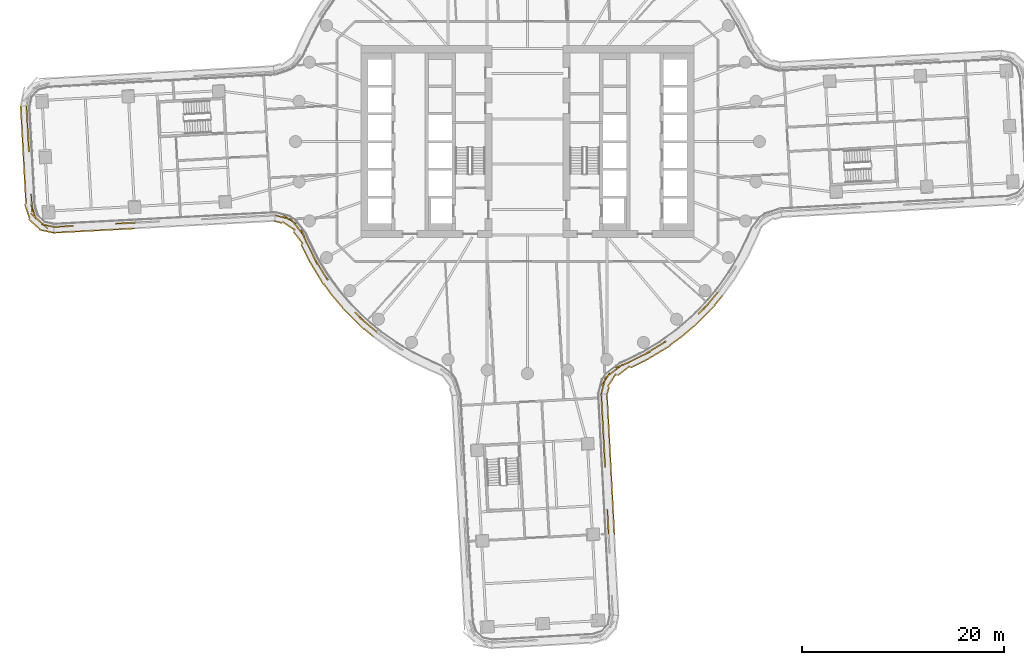
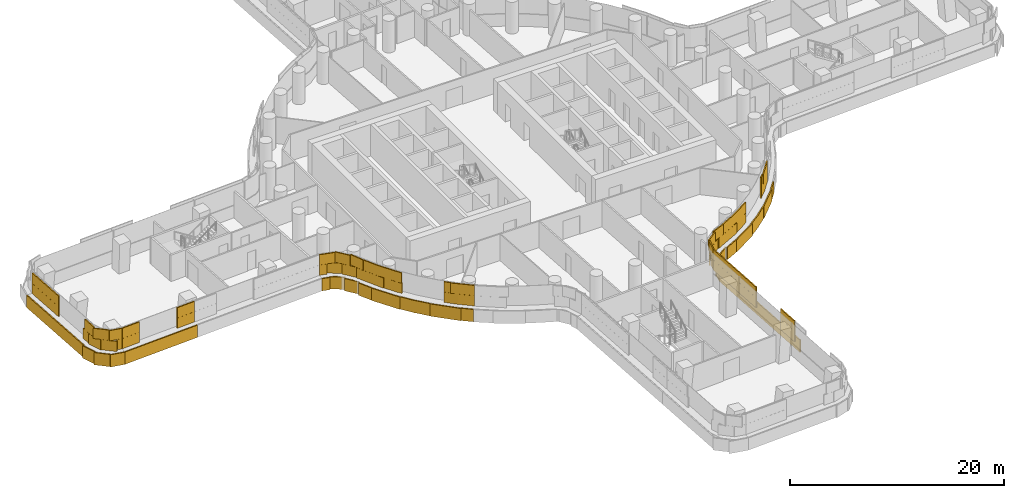
# One storey, part 26 of 31: 5 coverings.
"""IFC4 building model written with IfcOpenShell, lengths in metres."""

from ifc_helpers import new_model, si_unit, direction, frame, origin, origin_2d, place, context, subcontext, project, spatial, rectangle, extrude, material, layer, layer_set, type_object, element, save


model = new_model("IFC4")

# Units and contexts
model_context = context("Model", 3, precision=1e-05, world=origin(), true_north=direction((0.0, 1.0)))
body_context = subcontext(model_context, "Body", "Model", "MODEL_VIEW")
ifc_project = project(units=[si_unit("LENGTHUNIT", "METRE"), si_unit("AREAUNIT", "SQUARE_METRE"), si_unit("VOLUMEUNIT", "CUBIC_METRE"), si_unit("PLANEANGLEUNIT", "RADIAN"), si_unit("MASSUNIT", "GRAM", prefix="KILO")], contexts=[model_context])

# Site, building, storey
site_placement = place(None, origin())
site = spatial("IfcSite", under=ifc_project, at=site_placement, CompositionType="ELEMENT")
building_placement = place(site_placement, origin())
building = spatial("IfcBuilding", under=site, at=building_placement, Name="Tamarind Cross Interchange Tower", CompositionType="ELEMENT")
storey_placement = place(building_placement, frame((0.0, 0.0, 45.25)))
storey = spatial("IfcBuildingStorey", under=building, at=storey_placement, Name="L09", CompositionType="ELEMENT", Elevation=45.25)

# Coverings
ifc_material = material(Name="Terracotta", Category="masonry")
ifc_layer = layer(ifc_material, 0.1201171875)
ifc_layer_set = layer_set([ifc_layer], Name="Terracotta")
covering_type = type_object("IfcCoveringType", Name="Terracotta baguette screen unit", PredefinedType="MOLDING", material=ifc_layer_set)
covering_1_placement = place(storey_placement, origin())
element("IfcCovering", 1, at=covering_1_placement, inside=storey, type_object=covering_type, Name="SCR-L09-00-00", PredefinedType="MOLDING", context=body_context, shape_type="SweptSolid", body=[
    extrude(rectangle(XDim=0.760009765625, YDim=0.1201171875, at=origin_2d()), frame((-49.657958984375, 3.129150390625, 1.404052734375), z_axis=(0.0, 0.0, 1.0), x_axis=(0.054678317891, -0.998504021801, 0.0)), (0.0, 0.0, 1.0), 1.1669921875),
    extrude(rectangle(XDim=1.52001953125, YDim=0.1201171875, at=origin_2d()), frame((-49.596435546875, 2.005859375, 1.404052734375), z_axis=(0.0, 0.0, 1.0), x_axis=(0.054678317891, -0.998504021801, 0.0)), (0.0, 0.0, 1.0), 1.1669921875),
    extrude(rectangle(XDim=1.52001953125, YDim=0.1201171875, at=origin_2d()), frame((-49.514404296875, 0.508056640625, 1.404052734375), z_axis=(0.0, 0.0, 1.0), x_axis=(0.054678317891, -0.998504021801, 0.0)), (0.0, 0.0, 1.0), 1.1669921875),
    extrude(rectangle(XDim=0.784912109375, YDim=0.1201171875, at=origin_2d()), frame((-49.4521484375, -0.62744140625, 1.404052734375), z_axis=(0.0, 0.0, 1.0), x_axis=(0.054678317891, -0.998504021801, 0.0)), (0.0, 0.0, 1.0), 1.1669921875),
    extrude(rectangle(XDim=1.03515625, YDim=0.1201171875, at=origin_2d()), frame((-49.17333984375, -5.719970703125, 1.404052734375), z_axis=(0.0, 0.0, 1.0), x_axis=(0.054678317891, -0.998504021801, 0.0)), (0.0, 0.0, 1.0), 1.1669921875),
    extrude(rectangle(XDim=1.52001953125, YDim=0.1201171875, at=origin_2d()), frame((-48.982177734375, -6.957763671875, 1.404052734375), z_axis=(0.0, 0.0, 1.0), x_axis=(0.311247056843, -0.950329032287, 0.0)), (0.0, 0.0, 1.0), 1.1669921875),
    extrude(rectangle(XDim=1.52001953125, YDim=0.1201171875, at=origin_2d()), frame((-48.122802734375, -8.127197265625, 1.404052734375), z_axis=(0.0, 0.0, 1.0), x_axis=(0.744712374222, -0.667385555493, 0.0)), (0.0, 0.0, 1.0), 1.1669921875),
    extrude(rectangle(XDim=0.509521484375, YDim=0.1201171875, at=origin_2d()), frame((-47.186279296875, -8.4150390625, 1.404052734375), z_axis=(0.0, 0.0, 1.0), x_axis=(0.978632612335, -0.205616658064, 0.0)), (0.0, 0.0, 1.0), 1.1669921875),
    extrude(rectangle(XDim=1.510009765625, YDim=0.1201171875, at=origin_2d()), frame((-49.637451171875, 2.7548828125, 2.5791015625), z_axis=(0.0, 0.0, 1.0), x_axis=(0.054678317891, -0.998504021801, 0.0)), (0.0, 0.0, 1.0), 1.1669921875),
    extrude(rectangle(XDim=1.52001953125, YDim=0.1201171875, at=origin_2d()), frame((-49.555419921875, 1.257080078125, 2.5791015625), z_axis=(0.0, 0.0, 1.0), x_axis=(0.054678317891, -0.998504021801, 0.0)), (0.0, 0.0, 1.0), 1.1669921875),
    extrude(rectangle(XDim=1.52001953125, YDim=0.1201171875, at=origin_2d()), frame((-49.473388671875, -0.24072265625, 2.5791015625), z_axis=(0.0, 0.0, 1.0), x_axis=(0.054678317891, -0.998504021801, 0.0)), (0.0, 0.0, 1.0), 1.1669921875),
    extrude(rectangle(XDim=1.52001953125, YDim=0.1201171875, at=origin_2d()), frame((-49.145263671875, -6.231689453125, 2.5791015625), z_axis=(0.0, 0.0, 1.0), x_axis=(0.054678317891, -0.998504021801, 0.0)), (0.0, 0.0, 1.0), 1.1669921875),
    extrude(rectangle(XDim=1.52001953125, YDim=0.1201171875, at=origin_2d()), frame((-48.681396484375, -7.62646484375, 2.5791015625), z_axis=(0.0, 0.0, 1.0), x_axis=(0.744712374222, -0.667385555493, 0.0)), (0.0, 0.0, 1.0), 1.1669921875),
    extrude(rectangle(XDim=1.259521484375, YDim=0.1201171875, at=origin_2d()), frame((-47.55322265625, -8.337890625, 2.5791015625), z_axis=(0.0, 0.0, 1.0), x_axis=(0.978632612335, -0.205616658064, 0.0)), (0.0, 0.0, 1.0), 1.1669921875),
    extrude(rectangle(XDim=0.760009765625, YDim=0.1201171875, at=origin_2d()), frame((-50.23486328125, 3.168212890625, 0.00390625), z_axis=(0.0, 0.0, 1.0), x_axis=(0.054678317891, -0.998504021801, 0.0)), (0.0, 0.0, 1.0), 1.39208984375),
    extrude(rectangle(XDim=1.52001953125, YDim=0.1201171875, at=origin_2d()), frame((-50.173583984375, 2.050048828125, 0.00390625), z_axis=(0.0, 0.0, 1.0), x_axis=(0.054678317891, -0.998504021801, 0.0)), (0.0, 0.0, 1.0), 1.39208984375),
    extrude(rectangle(XDim=1.52001953125, YDim=0.1201171875, at=origin_2d()), frame((-50.091552734375, 0.55224609375, 0.00390625), z_axis=(0.0, 0.0, 1.0), x_axis=(0.054678317891, -0.998504021801, 0.0)), (0.0, 0.0, 1.0), 1.39208984375),
    extrude(rectangle(XDim=1.52001953125, YDim=0.1201171875, at=origin_2d()), frame((-50.009765625, -0.945556640625, 0.00390625), z_axis=(0.0, 0.0, 1.0), x_axis=(0.054678317891, -0.998504021801, 0.0)), (0.0, 0.0, 1.0), 1.39208984375),
    extrude(rectangle(XDim=1.52001953125, YDim=0.1201171875, at=origin_2d()), frame((-49.927734375, -2.443359375, 0.00390625), z_axis=(0.0, 0.0, 1.0), x_axis=(0.054678317891, -0.998504021801, 0.0)), (0.0, 0.0, 1.0), 1.39208984375),
    extrude(rectangle(XDim=1.52001953125, YDim=0.1201171875, at=origin_2d()), frame((-49.845703125, -3.94091796875, 0.00390625), z_axis=(0.0, 0.0, 1.0), x_axis=(0.054678317891, -0.998504021801, 0.0)), (0.0, 0.0, 1.0), 1.39208984375),
    extrude(rectangle(XDim=1.52001953125, YDim=0.1201171875, at=origin_2d()), frame((-49.763671875, -5.438720703125, 0.00390625), z_axis=(0.0, 0.0, 1.0), x_axis=(0.054678317891, -0.998504021801, 0.0)), (0.0, 0.0, 1.0), 1.39208984375),
    extrude(rectangle(XDim=1.52001953125, YDim=0.1201171875, at=origin_2d()), frame((-49.59814453125, -6.9208984375, 0.00390625), z_axis=(0.0, 0.0, 1.0), x_axis=(0.311247056843, -0.950329032287, 0.0)), (0.0, 0.0, 1.0), 1.39208984375),
    extrude(rectangle(XDim=1.52001953125, YDim=0.1201171875, at=origin_2d()), frame((-48.90380859375, -8.197998046875, 0.00390625), z_axis=(0.0, 0.0, 1.0), x_axis=(0.744712374222, -0.667385555493, 0.0)), (0.0, 0.0, 1.0), 1.39208984375),
    extrude(rectangle(XDim=1.426513671875, YDim=0.1201171875, at=origin_2d()), frame((-47.684326171875, -8.89697265625, 0.00390625), z_axis=(0.0, 0.0, 1.0), x_axis=(0.978632612335, -0.205616658064, 0.0)), (0.0, 0.0, 1.0), 1.39208984375),
])
covering_2_placement = place(storey_placement, origin())
element("IfcCovering", 2, at=covering_2_placement, inside=storey, type_object=covering_type, Name="SCR-L09-01-00", PredefinedType="MOLDING", context=body_context, shape_type="SweptSolid", body=[
    extrude(rectangle(XDim=0.760009765625, YDim=0.1201171875, at=origin_2d()), frame((-46.5673828125, -8.44677734375, 1.404052734375), z_axis=(0.0, 0.0, 1.0), x_axis=(0.998622085659, 0.052477900426, 0.0)), (0.0, 0.0, 1.0), 1.1669921875),
    extrude(rectangle(XDim=1.187255859375, YDim=0.1201171875, at=origin_2d()), frame((-45.60498046875, -8.396240234375, 1.404052734375), z_axis=(0.0, 0.0, 1.0), x_axis=(0.998622085659, 0.052477900426, 0.0)), (0.0, 0.0, 1.0), 1.1669921875),
    extrude(rectangle(XDim=0.6328125, YDim=0.1201171875, at=origin_2d()), frame((-40.511962890625, -8.12841796875, 1.404052734375), z_axis=(0.0, 0.0, 1.0), x_axis=(0.998622085659, 0.052477900426, 0.0)), (0.0, 0.0, 1.0), 1.1669921875),
    extrude(rectangle(XDim=1.314453125, YDim=0.1201171875, at=origin_2d()), frame((-39.5498046875, -8.077880859375, 1.404052734375), z_axis=(0.0, 0.0, 1.0), x_axis=(0.998622085659, 0.052477900426, 0.0)), (0.0, 0.0, 1.0), 1.1669921875),
    extrude(rectangle(XDim=1.510009765625, YDim=0.1201171875, at=origin_2d()), frame((-46.19287109375, -8.427001953125, 2.5791015625), z_axis=(0.0, 0.0, 1.0), x_axis=(0.998622085659, 0.052477900426, 0.0)), (0.0, 0.0, 1.0), 1.1669921875),
    extrude(rectangle(XDim=0.437255859375, YDim=0.1201171875, at=origin_2d()), frame((-45.23046875, -8.37646484375, 2.5791015625), z_axis=(0.0, 0.0, 1.0), x_axis=(0.998622085659, 0.052477900426, 0.0)), (0.0, 0.0, 1.0), 1.1669921875),
    extrude(rectangle(XDim=1.3828125, YDim=0.1201171875, at=origin_2d()), frame((-40.137451171875, -8.10888671875, 2.5791015625), z_axis=(0.0, 0.0, 1.0), x_axis=(0.998622085659, 0.052477900426, 0.0)), (0.0, 0.0, 1.0), 1.1669921875),
    extrude(rectangle(XDim=0.564453125, YDim=0.1201171875, at=origin_2d()), frame((-39.17529296875, -8.058349609375, 2.5791015625), z_axis=(0.0, 0.0, 1.0), x_axis=(0.998622085659, 0.052477900426, 0.0)), (0.0, 0.0, 1.0), 1.1669921875),
    extrude(rectangle(XDim=0.760009765625, YDim=0.1201171875, at=origin_2d()), frame((-46.60693359375, -9.023681640625, 0.00390625), z_axis=(0.0, 0.0, 1.0), x_axis=(0.998622085659, 0.052477900426, 0.0)), (0.0, 0.0, 1.0), 1.39208984375),
    extrude(rectangle(XDim=1.52001953125, YDim=0.1201171875, at=origin_2d()), frame((-45.488525390625, -8.96484375, 0.00390625), z_axis=(0.0, 0.0, 1.0), x_axis=(0.998622085659, 0.052477900426, 0.0)), (0.0, 0.0, 1.0), 1.39208984375),
    extrude(rectangle(XDim=1.52001953125, YDim=0.1201171875, at=origin_2d()), frame((-43.99072265625, -8.88623046875, 0.00390625), z_axis=(0.0, 0.0, 1.0), x_axis=(0.998622085659, 0.052477900426, 0.0)), (0.0, 0.0, 1.0), 1.39208984375),
    extrude(rectangle(XDim=1.52001953125, YDim=0.1201171875, at=origin_2d()), frame((-42.49267578125, -8.807373046875, 0.00390625), z_axis=(0.0, 0.0, 1.0), x_axis=(0.998622085659, 0.052477900426, 0.0)), (0.0, 0.0, 1.0), 1.39208984375),
    extrude(rectangle(XDim=1.52001953125, YDim=0.1201171875, at=origin_2d()), frame((-40.99462890625, -8.728759765625, 0.00390625), z_axis=(0.0, 0.0, 1.0), x_axis=(0.998622085659, 0.052477900426, 0.0)), (0.0, 0.0, 1.0), 1.39208984375),
    extrude(rectangle(XDim=1.30908203125, YDim=0.1201171875, at=origin_2d()), frame((-39.60205078125, -8.655517578125, 0.00390625), z_axis=(0.0, 0.0, 1.0), x_axis=(0.998622085659, 0.052477900426, 0.0)), (0.0, 0.0, 1.0), 1.39208984375),
])
covering_3_placement = place(storey_placement, origin())
element("IfcCovering", 3, at=covering_3_placement, inside=storey, type_object=covering_type, Name="SCR-L09-02-00", PredefinedType="MOLDING", context=body_context, shape_type="SweptSolid", body=[
    extrude(rectangle(XDim=0.760009765625, YDim=0.1201171875, at=origin_2d()), frame((-24.64794921875, -7.409912109375, 1.404052734375), z_axis=(0.0, 0.0, 1.0), x_axis=(0.966733034489, -0.255787489975, 0.0)), (0.0, 0.0, 1.0), 1.1669921875),
    extrude(rectangle(XDim=1.52001953125, YDim=0.1201171875, at=origin_2d()), frame((-23.57958984375, -7.740966796875, 1.404052734375), z_axis=(0.0, 0.0, 1.0), x_axis=(0.840803783361, -0.541340002112, 0.0)), (0.0, 0.0, 1.0), 1.1669921875),
    extrude(rectangle(XDim=1.52001953125, YDim=0.1201171875, at=origin_2d()), frame((-22.567138671875, -8.82373046875, 1.404052734375), z_axis=(0.0, 0.0, 1.0), x_axis=(0.610465817578, -0.79204260338, 0.0)), (0.0, 0.0, 1.0), 1.1669921875),
    extrude(rectangle(XDim=1.52001953125, YDim=0.1201171875, at=origin_2d()), frame((-21.840576171875, -10.123779296875, 1.404052734375), z_axis=(0.0, 0.0, 1.0), x_axis=(0.443058811505, -0.896492548518, 0.0)), (0.0, 0.0, 1.0), 1.1669921875),
    extrude(rectangle(XDim=1.52001953125, YDim=0.1201171875, at=origin_2d()), frame((-21.176025390625, -11.46875, 1.404052734375), z_axis=(0.0, 0.0, 1.0), x_axis=(0.443058811505, -0.896492548518, 0.0)), (0.0, 0.0, 1.0), 1.1669921875),
    extrude(rectangle(XDim=1.52001953125, YDim=0.1201171875, at=origin_2d()), frame((-20.40966796875, -12.7578125, 1.404052734375), z_axis=(0.0, 0.0, 1.0), x_axis=(0.515577308909, -0.856843065292, 0.0)), (0.0, 0.0, 1.0), 1.1669921875),
    extrude(rectangle(XDim=0.4140625, YDim=0.1201171875, at=origin_2d()), frame((-19.8935546875, -13.556884765625, 1.404052734375), z_axis=(0.0, 0.0, 1.0), x_axis=(0.584573890505, -0.811340475102, 0.0)), (0.0, 0.0, 1.0), 1.1669921875),
    extrude(rectangle(XDim=1.40576171875, YDim=0.1201171875, at=origin_2d()), frame((-16.596435546875, -17.433837890625, 1.404052734375), z_axis=(0.0, 0.0, 1.0), x_axis=(0.710143317658, -0.704057148523, 0.0)), (0.0, 0.0, 1.0), 1.1669921875),
    extrude(rectangle(XDim=1.5068359375, YDim=0.1201171875, at=origin_2d()), frame((-15.51708984375, -18.394775390625, 1.404052734375), z_axis=(0.0, 0.0, 1.0), x_axis=(0.765858396687, -0.643009266048, 0.0)), (0.0, 0.0, 1.0), 1.1669921875),
    extrude(rectangle(XDim=1.510009765625, YDim=0.1201171875, at=origin_2d()), frame((-24.285400390625, -7.505859375, 2.5791015625), z_axis=(0.0, 0.0, 1.0), x_axis=(0.966733034489, -0.255787489975, 0.0)), (0.0, 0.0, 1.0), 1.1669921875),
    extrude(rectangle(XDim=1.52001953125, YDim=0.1201171875, at=origin_2d()), frame((-23.025146484375, -8.229736328125, 2.5791015625), z_axis=(0.0, 0.0, 1.0), x_axis=(0.610465817578, -0.79204260338, 0.0)), (0.0, 0.0, 1.0), 1.1669921875),
    extrude(rectangle(XDim=1.52001953125, YDim=0.1201171875, at=origin_2d()), frame((-22.14990234375, -9.441162109375, 2.5791015625), z_axis=(0.0, 0.0, 1.0), x_axis=(0.378208842163, -0.925720298854, 0.0)), (0.0, 0.0, 1.0), 1.1669921875),
    extrude(rectangle(XDim=1.52001953125, YDim=0.1201171875, at=origin_2d()), frame((-21.50830078125, -10.796142578125, 2.5791015625), z_axis=(0.0, 0.0, 1.0), x_axis=(0.443058811505, -0.896492548518, 0.0)), (0.0, 0.0, 1.0), 1.1669921875),
    extrude(rectangle(XDim=1.52001953125, YDim=0.1201171875, at=origin_2d()), frame((-20.79638671875, -12.114990234375, 2.5791015625), z_axis=(0.0, 0.0, 1.0), x_axis=(0.515577308909, -0.856843065292, 0.0)), (0.0, 0.0, 1.0), 1.1669921875),
    extrude(rectangle(XDim=1.1640625, YDim=0.1201171875, at=origin_2d()), frame((-20.112060546875, -13.252197265625, 2.5791015625), z_axis=(0.0, 0.0, 1.0), x_axis=(0.515577308909, -0.856843065292, 0.0)), (0.0, 0.0, 1.0), 1.1669921875),
    extrude(rectangle(XDim=0.65576171875, YDim=0.1201171875, at=origin_2d()), frame((-16.86279296875, -17.169921875, 2.5791015625), z_axis=(0.0, 0.0, 1.0), x_axis=(0.710143317658, -0.704057148523, 0.0)), (0.0, 0.0, 1.0), 1.1669921875),
    extrude(rectangle(XDim=1.52001953125, YDim=0.1201171875, at=origin_2d()), frame((-16.09033203125, -17.91357421875, 2.5791015625), z_axis=(0.0, 0.0, 1.0), x_axis=(0.765858396687, -0.643009266048, 0.0)), (0.0, 0.0, 1.0), 1.1669921875),
    extrude(rectangle(XDim=0.7568359375, YDim=0.1201171875, at=origin_2d()), frame((-15.22998046875, -18.635986328125, 2.5791015625), z_axis=(0.0, 0.0, 1.0), x_axis=(0.765858396687, -0.643009266048, 0.0)), (0.0, 0.0, 1.0), 1.1669921875),
    extrude(rectangle(XDim=0.760009765625, YDim=0.1201171875, at=origin_2d()), frame((-24.702880859375, -7.989013671875, 0.00390625), z_axis=(0.0, 0.0, 1.0), x_axis=(0.966733034489, -0.255787489975, 0.0)), (0.0, 0.0, 1.0), 1.39208984375),
    extrude(rectangle(XDim=1.52001953125, YDim=0.1201171875, at=origin_2d()), frame((-23.662109375, -8.370361328125, 0.00390625), z_axis=(0.0, 0.0, 1.0), x_axis=(0.840803783361, -0.541340002112, 0.0)), (0.0, 0.0, 1.0), 1.39208984375),
    extrude(rectangle(XDim=1.52001953125, YDim=0.1201171875, at=origin_2d()), frame((-22.735107421875, -9.546142578125, 0.00390625), z_axis=(0.0, 0.0, 1.0), x_axis=(0.610465817578, -0.79204260338, 0.0)), (0.0, 0.0, 1.0), 1.39208984375),
    extrude(rectangle(XDim=1.52001953125, YDim=0.1201171875, at=origin_2d()), frame((-22.096435546875, -10.90185546875, 0.00390625), z_axis=(0.0, 0.0, 1.0), x_axis=(0.443058811505, -0.896492548518, 0.0)), (0.0, 0.0, 1.0), 1.39208984375),
    extrude(rectangle(XDim=1.52001953125, YDim=0.1201171875, at=origin_2d()), frame((-21.398193359375, -12.228271484375, 0.00390625), z_axis=(0.0, 0.0, 1.0), x_axis=(0.515577308909, -0.856843065292, 0.0)), (0.0, 0.0, 1.0), 1.39208984375),
    extrude(rectangle(XDim=1.52001953125, YDim=0.1201171875, at=origin_2d()), frame((-20.624755859375, -13.513427734375, 0.00390625), z_axis=(0.0, 0.0, 1.0), x_axis=(0.515577308909, -0.856843065292, 0.0)), (0.0, 0.0, 1.0), 1.39208984375),
    extrude(rectangle(XDim=1.52001953125, YDim=0.1201171875, at=origin_2d()), frame((-19.753173828125, -14.73388671875, 0.00390625), z_axis=(0.0, 0.0, 1.0), x_axis=(0.584573890505, -0.811340475102, 0.0)), (0.0, 0.0, 1.0), 1.39208984375),
    extrude(rectangle(XDim=1.52001953125, YDim=0.1201171875, at=origin_2d()), frame((-18.818603515625, -15.905517578125, 0.00390625), z_axis=(0.0, 0.0, 1.0), x_axis=(0.64957723968, -0.760295606781, 0.0)), (0.0, 0.0, 1.0), 1.39208984375),
    extrude(rectangle(XDim=1.52001953125, YDim=0.1201171875, at=origin_2d()), frame((-17.822998046875, -17.0263671875, 0.00390625), z_axis=(0.0, 0.0, 1.0), x_axis=(0.710143317658, -0.704057148523, 0.0)), (0.0, 0.0, 1.0), 1.39208984375),
    extrude(rectangle(XDim=1.52001953125, YDim=0.1201171875, at=origin_2d()), frame((-16.7578125, -18.082275390625, 0.00390625), z_axis=(0.0, 0.0, 1.0), x_axis=(0.710143317658, -0.704057148523, 0.0)), (0.0, 0.0, 1.0), 1.39208984375),
    extrude(rectangle(XDim=1.1767578125, YDim=0.1201171875, at=origin_2d()), frame((-15.7509765625, -18.947998046875, 0.00390625), z_axis=(0.0, 0.0, 1.0), x_axis=(0.765858396687, -0.643009266048, 0.0)), (0.0, 0.0, 1.0), 1.39208984375),
])
covering_4_placement = place(storey_placement, origin())
element("IfcCovering", 4, at=covering_4_placement, inside=storey, type_object=covering_type, Name="SCR-L09-05-01", PredefinedType="MOLDING", context=body_context, shape_type="SweptSolid", body=[
    extrude(rectangle(XDim=0.20556640625, YDim=0.1201171875, at=origin_2d()), frame((8.03857421875, -38.80078125, 1.404052734375), z_axis=(0.0, 0.0, 1.0), x_axis=(-0.052477900426, 0.998622085659, 0.0)), (0.0, 0.0, 1.0), 1.1669921875),
    extrude(rectangle(XDim=1.52001953125, YDim=0.1201171875, at=origin_2d()), frame((7.994140625, -37.9541015625, 1.404052734375), z_axis=(0.0, 0.0, 1.0), x_axis=(-0.052477900426, 0.998622085659, 0.0)), (0.0, 0.0, 1.0), 1.1669921875),
    extrude(rectangle(XDim=0.714111328125, YDim=0.1201171875, at=origin_2d()), frame((7.936279296875, -36.853759765625, 1.404052734375), z_axis=(0.0, 0.0, 1.0), x_axis=(-0.052477900426, 0.998622085659, 0.0)), (0.0, 0.0, 1.0), 1.1669921875),
    extrude(rectangle(XDim=1.10595703125, YDim=0.1201171875, at=origin_2d()), frame((7.668701171875, -31.7607421875, 1.404052734375), z_axis=(0.0, 0.0, 1.0), x_axis=(-0.052477900426, 0.998622085659, 0.0)), (0.0, 0.0, 1.0), 1.1669921875),
    extrude(rectangle(XDim=1.52001953125, YDim=0.1201171875, at=origin_2d()), frame((7.6005859375, -30.464599609375, 1.404052734375), z_axis=(0.0, 0.0, 1.0), x_axis=(-0.052477900426, 0.998622085659, 0.0)), (0.0, 0.0, 1.0), 1.1669921875),
    extrude(rectangle(XDim=1.52001953125, YDim=0.1201171875, at=origin_2d()), frame((7.521728515625, -28.966552734375, 1.404052734375), z_axis=(0.0, 0.0, 1.0), x_axis=(-0.052477900426, 0.998622085659, 0.0)), (0.0, 0.0, 1.0), 1.1669921875),
    extrude(rectangle(XDim=1.52001953125, YDim=0.1201171875, at=origin_2d()), frame((7.443115234375, -27.46875, 1.404052734375), z_axis=(0.0, 0.0, 1.0), x_axis=(-0.052477900426, 0.998622085659, 0.0)), (0.0, 0.0, 1.0), 1.1669921875),
    extrude(rectangle(XDim=1.52001953125, YDim=0.1201171875, at=origin_2d()), frame((7.3642578125, -25.970703125, 1.404052734375), z_axis=(0.0, 0.0, 1.0), x_axis=(-0.052477900426, 0.998622085659, 0.0)), (0.0, 0.0, 1.0), 1.1669921875),
    extrude(rectangle(XDim=0.221435546875, YDim=0.1201171875, at=origin_2d()), frame((7.319580078125, -25.1162109375, 1.404052734375), z_axis=(0.0, 0.0, 1.0), x_axis=(-0.052477900426, 0.998622085659, 0.0)), (0.0, 0.0, 1.0), 1.1669921875),
    extrude(rectangle(XDim=0.95556640625, YDim=0.1201171875, at=origin_2d()), frame((8.018798828125, -38.42626953125, 2.5791015625), z_axis=(0.0, 0.0, 1.0), x_axis=(-0.052477900426, 0.998622085659, 0.0)), (0.0, 0.0, 1.0), 1.1669921875),
    extrude(rectangle(XDim=1.464111328125, YDim=0.1201171875, at=origin_2d()), frame((7.9560546875, -37.228271484375, 2.5791015625), z_axis=(0.0, 0.0, 1.0), x_axis=(-0.052477900426, 0.998622085659, 0.0)), (0.0, 0.0, 1.0), 1.1669921875),
    extrude(rectangle(XDim=0.35595703125, YDim=0.1201171875, at=origin_2d()), frame((7.688232421875, -32.13525390625, 2.5791015625), z_axis=(0.0, 0.0, 1.0), x_axis=(-0.052477900426, 0.998622085659, 0.0)), (0.0, 0.0, 1.0), 1.1669921875),
    extrude(rectangle(XDim=1.52001953125, YDim=0.1201171875, at=origin_2d()), frame((7.639892578125, -31.21337890625, 2.5791015625), z_axis=(0.0, 0.0, 1.0), x_axis=(-0.052477900426, 0.998622085659, 0.0)), (0.0, 0.0, 1.0), 1.1669921875),
    extrude(rectangle(XDim=1.52001953125, YDim=0.1201171875, at=origin_2d()), frame((7.561279296875, -29.715576171875, 2.5791015625), z_axis=(0.0, 0.0, 1.0), x_axis=(-0.052477900426, 0.998622085659, 0.0)), (0.0, 0.0, 1.0), 1.1669921875),
    extrude(rectangle(XDim=1.52001953125, YDim=0.1201171875, at=origin_2d()), frame((7.482421875, -28.217529296875, 2.5791015625), z_axis=(0.0, 0.0, 1.0), x_axis=(-0.052477900426, 0.998622085659, 0.0)), (0.0, 0.0, 1.0), 1.1669921875),
    extrude(rectangle(XDim=1.52001953125, YDim=0.1201171875, at=origin_2d()), frame((7.40380859375, -26.7197265625, 2.5791015625), z_axis=(0.0, 0.0, 1.0), x_axis=(-0.052477900426, 0.998622085659, 0.0)), (0.0, 0.0, 1.0), 1.1669921875),
    extrude(rectangle(XDim=0.971435546875, YDim=0.1201171875, at=origin_2d()), frame((7.339111328125, -25.49072265625, 2.5791015625), z_axis=(0.0, 0.0, 1.0), x_axis=(-0.052477900426, 0.998622085659, 0.0)), (0.0, 0.0, 1.0), 1.1669921875),
    extrude(rectangle(XDim=0.2109375, YDim=0.1201171875, at=origin_2d()), frame((8.61572265625, -38.84326171875, 0.00390625), z_axis=(0.0, 0.0, 1.0), x_axis=(-0.052477900426, 0.998622085659, 0.0)), (0.0, 0.0, 1.0), 1.39208984375),
    extrude(rectangle(XDim=1.52001953125, YDim=0.1201171875, at=origin_2d()), frame((8.5712890625, -37.998779296875, 0.00390625), z_axis=(0.0, 0.0, 1.0), x_axis=(-0.052477900426, 0.998622085659, 0.0)), (0.0, 0.0, 1.0), 1.39208984375),
    extrude(rectangle(XDim=1.52001953125, YDim=0.1201171875, at=origin_2d()), frame((8.492431640625, -36.5009765625, 0.00390625), z_axis=(0.0, 0.0, 1.0), x_axis=(-0.052477900426, 0.998622085659, 0.0)), (0.0, 0.0, 1.0), 1.39208984375),
    extrude(rectangle(XDim=1.52001953125, YDim=0.1201171875, at=origin_2d()), frame((8.413818359375, -35.0029296875, 0.00390625), z_axis=(0.0, 0.0, 1.0), x_axis=(-0.052477900426, 0.998622085659, 0.0)), (0.0, 0.0, 1.0), 1.39208984375),
    extrude(rectangle(XDim=1.52001953125, YDim=0.1201171875, at=origin_2d()), frame((8.335205078125, -33.505126953125, 0.00390625), z_axis=(0.0, 0.0, 1.0), x_axis=(-0.052477900426, 0.998622085659, 0.0)), (0.0, 0.0, 1.0), 1.39208984375),
    extrude(rectangle(XDim=1.52001953125, YDim=0.1201171875, at=origin_2d()), frame((8.25634765625, -32.007080078125, 0.00390625), z_axis=(0.0, 0.0, 1.0), x_axis=(-0.052477900426, 0.998622085659, 0.0)), (0.0, 0.0, 1.0), 1.39208984375),
    extrude(rectangle(XDim=1.52001953125, YDim=0.1201171875, at=origin_2d()), frame((8.177734375, -30.50927734375, 0.00390625), z_axis=(0.0, 0.0, 1.0), x_axis=(-0.052477900426, 0.998622085659, 0.0)), (0.0, 0.0, 1.0), 1.39208984375),
    extrude(rectangle(XDim=1.52001953125, YDim=0.1201171875, at=origin_2d()), frame((8.098876953125, -29.01123046875, 0.00390625), z_axis=(0.0, 0.0, 1.0), x_axis=(-0.052477900426, 0.998622085659, 0.0)), (0.0, 0.0, 1.0), 1.39208984375),
    extrude(rectangle(XDim=1.52001953125, YDim=0.1201171875, at=origin_2d()), frame((8.020263671875, -27.513427734375, 0.00390625), z_axis=(0.0, 0.0, 1.0), x_axis=(-0.052477900426, 0.998622085659, 0.0)), (0.0, 0.0, 1.0), 1.39208984375),
    extrude(rectangle(XDim=1.52001953125, YDim=0.1201171875, at=origin_2d()), frame((7.94140625, -26.015380859375, 0.00390625), z_axis=(0.0, 0.0, 1.0), x_axis=(-0.052477900426, 0.998622085659, 0.0)), (0.0, 0.0, 1.0), 1.39208984375),
    extrude(rectangle(XDim=0.206298828125, YDim=0.1201171875, at=origin_2d()), frame((7.897216796875, -25.17333984375, 0.00390625), z_axis=(0.0, 0.0, 1.0), x_axis=(-0.052477900426, 0.998622085659, 0.0)), (0.0, 0.0, 1.0), 1.39208984375),
])
covering_5_placement = place(storey_placement, origin())
element("IfcCovering", 5, at=covering_5_placement, inside=storey, type_object=covering_type, Name="SCR-L09-06-00", PredefinedType="MOLDING", context=body_context, shape_type="SweptSolid", body=[
    extrude(rectangle(XDim=0.760009765625, YDim=0.1201171875, at=origin_2d()), frame((7.409912109375, -24.64794921875, 1.404052734375), z_axis=(0.0, 0.0, 1.0), x_axis=(0.255787489975, 0.966733034489, 0.0)), (0.0, 0.0, 1.0), 1.1669921875),
    extrude(rectangle(XDim=1.52001953125, YDim=0.1201171875, at=origin_2d()), frame((7.740966796875, -23.57958984375, 1.404052734375), z_axis=(0.0, 0.0, 1.0), x_axis=(0.541340002112, 0.840803783361, 0.0)), (0.0, 0.0, 1.0), 1.1669921875),
    extrude(rectangle(XDim=1.52001953125, YDim=0.1201171875, at=origin_2d()), frame((8.82373046875, -22.567138671875, 1.404052734375), z_axis=(0.0, 0.0, 1.0), x_axis=(0.79204260338, 0.610465817578, 0.0)), (0.0, 0.0, 1.0), 1.1669921875),
    extrude(rectangle(XDim=1.52001953125, YDim=0.1201171875, at=origin_2d()), frame((10.123779296875, -21.840576171875, 1.404052734375), z_axis=(0.0, 0.0, 1.0), x_axis=(0.896492548518, 0.443058811505, 0.0)), (0.0, 0.0, 1.0), 1.1669921875),
    extrude(rectangle(XDim=1.52001953125, YDim=0.1201171875, at=origin_2d()), frame((11.46875, -21.176025390625, 1.404052734375), z_axis=(0.0, 0.0, 1.0), x_axis=(0.896492548518, 0.443058811505, 0.0)), (0.0, 0.0, 1.0), 1.1669921875),
    extrude(rectangle(XDim=1.52001953125, YDim=0.1201171875, at=origin_2d()), frame((12.7578125, -20.40966796875, 1.404052734375), z_axis=(0.0, 0.0, 1.0), x_axis=(0.856843065292, 0.515577308909, 0.0)), (0.0, 0.0, 1.0), 1.1669921875),
    extrude(rectangle(XDim=0.4140625, YDim=0.1201171875, at=origin_2d()), frame((13.556884765625, -19.8935546875, 1.404052734375), z_axis=(0.0, 0.0, 1.0), x_axis=(0.811340475102, 0.584573890505, 0.0)), (0.0, 0.0, 1.0), 1.1669921875),
    extrude(rectangle(XDim=1.40576171875, YDim=0.1201171875, at=origin_2d()), frame((17.433837890625, -16.596435546875, 1.404052734375), z_axis=(0.0, 0.0, 1.0), x_axis=(0.704057148523, 0.710143317658, 0.0)), (0.0, 0.0, 1.0), 1.1669921875),
    extrude(rectangle(XDim=1.5068359375, YDim=0.1201171875, at=origin_2d()), frame((18.394775390625, -15.51708984375, 1.404052734375), z_axis=(0.0, 0.0, 1.0), x_axis=(0.643009266048, 0.765858396687, 0.0)), (0.0, 0.0, 1.0), 1.1669921875),
    extrude(rectangle(XDim=1.510009765625, YDim=0.1201171875, at=origin_2d()), frame((7.505859375, -24.285400390625, 2.5791015625), z_axis=(0.0, 0.0, 1.0), x_axis=(0.255787489975, 0.966733034489, 0.0)), (0.0, 0.0, 1.0), 1.1669921875),
    extrude(rectangle(XDim=1.52001953125, YDim=0.1201171875, at=origin_2d()), frame((8.229736328125, -23.025146484375, 2.5791015625), z_axis=(0.0, 0.0, 1.0), x_axis=(0.79204260338, 0.610465817578, 0.0)), (0.0, 0.0, 1.0), 1.1669921875),
    extrude(rectangle(XDim=1.52001953125, YDim=0.1201171875, at=origin_2d()), frame((9.441162109375, -22.14990234375, 2.5791015625), z_axis=(0.0, 0.0, 1.0), x_axis=(0.925720298854, 0.378208842163, 0.0)), (0.0, 0.0, 1.0), 1.1669921875),
    extrude(rectangle(XDim=1.52001953125, YDim=0.1201171875, at=origin_2d()), frame((10.796142578125, -21.50830078125, 2.5791015625), z_axis=(0.0, 0.0, 1.0), x_axis=(0.896492548518, 0.443058811505, 0.0)), (0.0, 0.0, 1.0), 1.1669921875),
    extrude(rectangle(XDim=1.52001953125, YDim=0.1201171875, at=origin_2d()), frame((12.114990234375, -20.79638671875, 2.5791015625), z_axis=(0.0, 0.0, 1.0), x_axis=(0.856843065292, 0.515577308909, 0.0)), (0.0, 0.0, 1.0), 1.1669921875),
    extrude(rectangle(XDim=1.1640625, YDim=0.1201171875, at=origin_2d()), frame((13.252197265625, -20.112060546875, 2.5791015625), z_axis=(0.0, 0.0, 1.0), x_axis=(0.856843065292, 0.515577308909, 0.0)), (0.0, 0.0, 1.0), 1.1669921875),
    extrude(rectangle(XDim=0.65576171875, YDim=0.1201171875, at=origin_2d()), frame((17.169921875, -16.86279296875, 2.5791015625), z_axis=(0.0, 0.0, 1.0), x_axis=(0.704057148523, 0.710143317658, 0.0)), (0.0, 0.0, 1.0), 1.1669921875),
    extrude(rectangle(XDim=1.52001953125, YDim=0.1201171875, at=origin_2d()), frame((17.91357421875, -16.09033203125, 2.5791015625), z_axis=(0.0, 0.0, 1.0), x_axis=(0.643009266048, 0.765858396687, 0.0)), (0.0, 0.0, 1.0), 1.1669921875),
    extrude(rectangle(XDim=0.7568359375, YDim=0.1201171875, at=origin_2d()), frame((18.635986328125, -15.22998046875, 2.5791015625), z_axis=(0.0, 0.0, 1.0), x_axis=(0.643009266048, 0.765858396687, 0.0)), (0.0, 0.0, 1.0), 1.1669921875),
    extrude(rectangle(XDim=0.760009765625, YDim=0.1201171875, at=origin_2d()), frame((7.989013671875, -24.702880859375, 0.00390625), z_axis=(0.0, 0.0, 1.0), x_axis=(0.255787489975, 0.966733034489, 0.0)), (0.0, 0.0, 1.0), 1.39208984375),
    extrude(rectangle(XDim=1.52001953125, YDim=0.1201171875, at=origin_2d()), frame((8.370361328125, -23.662109375, 0.00390625), z_axis=(0.0, 0.0, 1.0), x_axis=(0.541340002112, 0.840803783361, 0.0)), (0.0, 0.0, 1.0), 1.39208984375),
    extrude(rectangle(XDim=1.52001953125, YDim=0.1201171875, at=origin_2d()), frame((9.546142578125, -22.735107421875, 0.00390625), z_axis=(0.0, 0.0, 1.0), x_axis=(0.79204260338, 0.610465817578, 0.0)), (0.0, 0.0, 1.0), 1.39208984375),
    extrude(rectangle(XDim=1.52001953125, YDim=0.1201171875, at=origin_2d()), frame((10.90185546875, -22.096435546875, 0.00390625), z_axis=(0.0, 0.0, 1.0), x_axis=(0.896492548518, 0.443058811505, 0.0)), (0.0, 0.0, 1.0), 1.39208984375),
    extrude(rectangle(XDim=1.52001953125, YDim=0.1201171875, at=origin_2d()), frame((12.228271484375, -21.398193359375, 0.00390625), z_axis=(0.0, 0.0, 1.0), x_axis=(0.856843065292, 0.515577308909, 0.0)), (0.0, 0.0, 1.0), 1.39208984375),
    extrude(rectangle(XDim=1.52001953125, YDim=0.1201171875, at=origin_2d()), frame((13.513427734375, -20.624755859375, 0.00390625), z_axis=(0.0, 0.0, 1.0), x_axis=(0.856843065292, 0.515577308909, 0.0)), (0.0, 0.0, 1.0), 1.39208984375),
    extrude(rectangle(XDim=1.52001953125, YDim=0.1201171875, at=origin_2d()), frame((14.73388671875, -19.753173828125, 0.00390625), z_axis=(0.0, 0.0, 1.0), x_axis=(0.811340475102, 0.584573890505, 0.0)), (0.0, 0.0, 1.0), 1.39208984375),
    extrude(rectangle(XDim=1.52001953125, YDim=0.1201171875, at=origin_2d()), frame((15.905517578125, -18.818603515625, 0.00390625), z_axis=(0.0, 0.0, 1.0), x_axis=(0.760295606781, 0.64957723968, 0.0)), (0.0, 0.0, 1.0), 1.39208984375),
    extrude(rectangle(XDim=1.52001953125, YDim=0.1201171875, at=origin_2d()), frame((17.0263671875, -17.822998046875, 0.00390625), z_axis=(0.0, 0.0, 1.0), x_axis=(0.704057148523, 0.710143317658, 0.0)), (0.0, 0.0, 1.0), 1.39208984375),
    extrude(rectangle(XDim=1.52001953125, YDim=0.1201171875, at=origin_2d()), frame((18.082275390625, -16.7578125, 0.00390625), z_axis=(0.0, 0.0, 1.0), x_axis=(0.704057148523, 0.710143317658, 0.0)), (0.0, 0.0, 1.0), 1.39208984375),
    extrude(rectangle(XDim=1.1767578125, YDim=0.1201171875, at=origin_2d()), frame((18.947998046875, -15.7509765625, 0.00390625), z_axis=(0.0, 0.0, 1.0), x_axis=(0.643009266048, 0.765858396687, 0.0)), (0.0, 0.0, 1.0), 1.39208984375),
])

save(model, "model.ifc")
